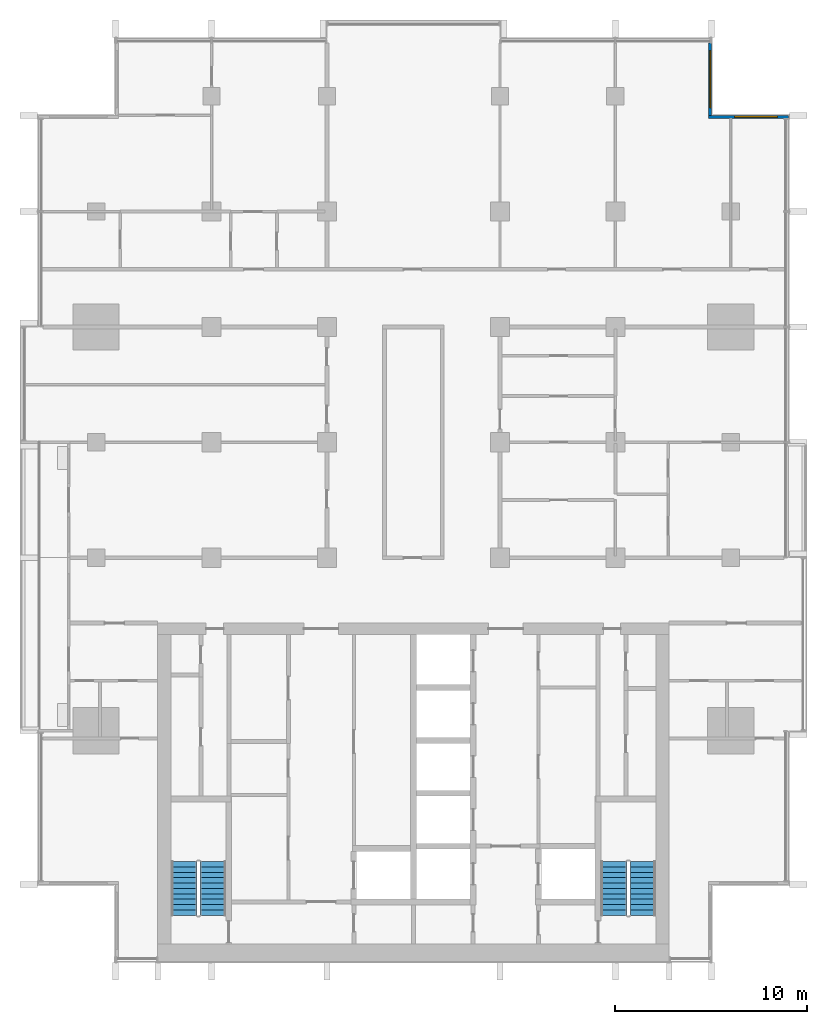
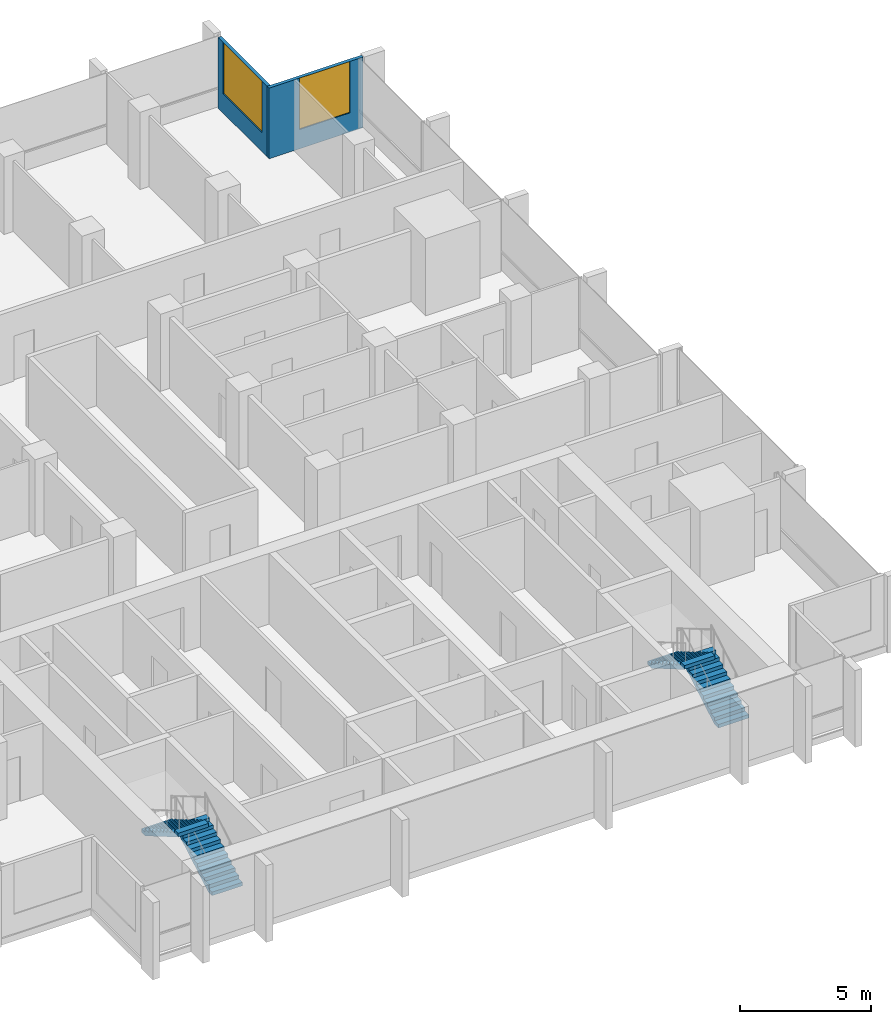
# One storey, part 11 of 16: 4 stair flights, 2 walls, 2 windows, 2 openings, 2 elements without a shape of their own.
"""IFC4 building model written with IfcOpenShell, lengths in metres."""

from ifc_helpers import new_model, si_unit, direction, frame, frame_2d, origin, place, context, subcontext, project, spatial, polyline, rectangle, outline, extrude, material, layer, layer_set, type_object, element, fill, aggregate, save


model = new_model("IFC4")

# Units and contexts
model_context = context("Model", 3, precision=1e-05, world=origin(), true_north=direction((0.0, 1.0)))
body_context = subcontext(model_context, "Body", "Model", "MODEL_VIEW")
ifc_project = project(units=[si_unit("LENGTHUNIT", "METRE"), si_unit("AREAUNIT", "SQUARE_METRE"), si_unit("VOLUMEUNIT", "CUBIC_METRE"), si_unit("PLANEANGLEUNIT", "RADIAN"), si_unit("MASSUNIT", "GRAM", prefix="KILO")], contexts=[model_context])

# Site, building, storey
site_placement = place(None, origin())
site = spatial("IfcSite", under=ifc_project, at=site_placement, CompositionType="ELEMENT")
building_placement = place(site_placement, origin())
building = spatial("IfcBuilding", under=site, at=building_placement, Name="Finial Court Residences", CompositionType="ELEMENT")
storey_placement = place(building_placement, frame((0.0, 0.0, 188.89990234375)))
storey = spatial("IfcBuildingStorey", under=building, at=storey_placement, Name="L47", CompositionType="ELEMENT", Elevation=188.89990234375)

# Wall, opening, window
ifc_material_1 = material(Name="Natural limestone", Category="masonry")
ifc_layer = layer(ifc_material_1, 0.14990234375)
ifc_layer_set = layer_set([ifc_layer], Name="Limestone clad wall 150")
wall_type = type_object("IfcWallType", Name="Limestone clad wall 150", PredefinedType="SOLIDWALL", material=ifc_layer_set)
wall_1_placement = place(storey_placement, frame((15.425048828125, 22.262451171875, 0.0), z_axis=(0.0, 0.0, 1.0), x_axis=(0.0, -1.0, 0.0)))
wall_1 = element("IfcWall", 1, at=wall_1_placement, inside=storey, type_object=wall_type, Name="E-L47-NWE18", PredefinedType="SOLIDWALL", context=body_context, shape_type="SweptSolid", body=[
    extrude(rectangle(XDim=3.762451171875, YDim=0.14990234375, at=frame_2d((1.88134765625, 0.0))), origin(), (0.0, 0.0, 1.0), 3.300048828125),
])
opening_1_placement = place(wall_1_placement, frame((0.401123046875, 0.0, 0.89990234375)))
opening_1 = element("IfcOpeningElement", 2, at=opening_1_placement, cuts=wall_1, Name="Opening WE47-07", PredefinedType="OPENING", context=body_context, shape_type="SweptSolid", body=[
    extrude(rectangle(XDim=2.9599609375, YDim=2.39990234375, at=frame_2d((1.47998046875, 1.199951171875))), frame((0.0, 0.0849609375, 0.0), z_axis=(0.0, -1.0, 0.0), x_axis=(1.0, 0.0, 0.0)), (0.0, 0.0, 1.0), 0.169921875),
])
ifc_material_2 = material(Name="Clear low-e glass", Category="glass")
window_type_1 = type_object("IfcWindowType", Name="Corner window 2960 x 2400", PartitioningType="SINGLE_PANEL", PredefinedType="WINDOW", material=ifc_material_2)
window_1_placement = place(opening_1_placement, origin())
window_1 = element("IfcWindow", 3, at=window_1_placement, inside=storey, type_object=window_type_1, Name="E-L47-NWE18-W1", OverallHeight=2.39990234375, OverallWidth=2.9599609375, PartitioningType="SINGLE_PANEL", PredefinedType="WINDOW", context=body_context, shape_type="SweptSolid", body=[
    extrude(rectangle(XDim=2.9599609375, YDim=2.39990234375, at=frame_2d((1.47998046875, 1.199951171875))), frame((0.0, 0.030029296875, 0.0), z_axis=(0.0, -1.0, 0.0), x_axis=(1.0, 0.0, 0.0)), (0.0, 0.0, 1.0), 0.06005859375),
])
fill(opening_1, window_1)

wall_2_placement = place(storey_placement, frame((15.35009765625, 18.425048828125, 0.0), z_axis=(0.0, 0.0, 1.0), x_axis=(1.0, 0.0, 0.0)))
wall_2 = element("IfcWall", 4, at=wall_2_placement, inside=storey, type_object=wall_type, Name="E-L47-NWN19", PredefinedType="SOLIDWALL", context=body_context, shape_type="SweptSolid", body=[
    extrude(rectangle(XDim=4.14990234375, YDim=0.14990234375, at=frame_2d((2.074951171875, 0.0))), origin(), (0.0, 0.0, 1.0), 3.300048828125),
])
opening_2_placement = place(wall_2_placement, frame((1.35009765625, 0.0, 0.89990234375)))
opening_2 = element("IfcOpeningElement", 5, at=opening_2_placement, cuts=wall_2, Name="Opening WE47-08", PredefinedType="OPENING", context=body_context, shape_type="SweptSolid", body=[
    extrude(rectangle(XDim=2.22509765625, YDim=2.39990234375, at=frame_2d((1.112548828125, 1.199951171875))), frame((0.0, 0.0849609375, 0.0), z_axis=(0.0, -1.0, 0.0), x_axis=(1.0, 0.0, 0.0)), (0.0, 0.0, 1.0), 0.169921875),
])
window_type_2 = type_object("IfcWindowType", Name="Corner window 2225 x 2400", PartitioningType="SINGLE_PANEL", PredefinedType="WINDOW", material=ifc_material_2)
window_2_placement = place(opening_2_placement, origin())
window_2 = element("IfcWindow", 6, at=window_2_placement, inside=storey, type_object=window_type_2, Name="E-L47-NWN19-W1", OverallHeight=2.39990234375, OverallWidth=2.22509765625, PartitioningType="SINGLE_PANEL", PredefinedType="WINDOW", context=body_context, shape_type="SweptSolid", body=[
    extrude(rectangle(XDim=2.22509765625, YDim=2.39990234375, at=frame_2d((1.112548828125, 1.199951171875))), frame((0.0, 0.030029296875, 0.0), z_axis=(0.0, -1.0, 0.0), x_axis=(1.0, 0.0, 0.0)), (0.0, 0.0, 1.0), 0.06005859375),
])
fill(opening_2, window_2)

# Stair, stair flights
ifc_material_3 = material(Name="Concrete C50/60", Category="concrete")
stair_type = type_object("IfcStairType", Name="Exit stair 22 risers of 163.6 mm", PredefinedType="HALF_TURN_STAIR", material=ifc_material_3)
stair_1_placement = place(storey_placement, origin())
stair_1 = element("IfcStair", 7, at=stair_1_placement, inside=storey, type_object=stair_type, Name="L47 Exit stair ST-1", PredefinedType="HALF_TURN_STAIR")
stair_flight_type = type_object("IfcStairFlightType", Name="Exit stair flight", PredefinedType="STRAIGHT", material=ifc_material_3)
stair_flight_1_placement = place(storey_placement, frame((-10.425048828125, -23.10009765625, 0.0), z_axis=(0.0, 0.0, 1.0), x_axis=(0.0, 1.0, 0.0)))
stair_flight_1 = element("IfcStairFlight", 8, at=stair_flight_1_placement, type_object=stair_flight_type, Name="ST-1 flight 1", NumberOfRisers=11, NumberOfTreads=10, PredefinedType="STRAIGHT", RiserHeight=0.163636364, TreadLength=0.28, context=body_context, shape_type="SweptSolid", body=[
    extrude(outline(polyline([(0.0, 0.0), (0.0, 0.16357421875), (0.280029296875, 0.16357421875), (0.280029296875, 0.327392578125), (0.56005859375, 0.327392578125), (0.56005859375, 0.490966796875), (0.840087890625, 0.490966796875), (0.840087890625, 0.654541015625), (1.1201171875, 0.654541015625), (1.1201171875, 0.818115234375), (1.39990234375, 0.818115234375), (1.39990234375, 0.98193359375), (1.679931640625, 0.98193359375), (1.679931640625, 1.1455078125), (1.9599609375, 1.1455078125), (1.9599609375, 1.30908203125), (2.239990234375, 1.30908203125), (2.239990234375, 1.47265625), (2.52001953125, 1.47265625), (2.52001953125, 1.636474609375), (2.800048828125, 1.636474609375), (2.800048828125, 1.800048828125), (2.800048828125, 1.462646484375), (0.297119140625, 0.0), (0.0, 0.0)])), frame((0.0, 0.675048828125, 0.0), z_axis=(0.0, -1.0, 0.0), x_axis=(1.0, 0.0, 0.0)), (0.0, 0.0, 1.0), 1.35009765625),
])
stair_flight_2_placement = place(storey_placement, frame((-11.925048828125, -20.300048828125, 1.800048828125), z_axis=(0.0, 0.0, 1.0), x_axis=(0.0, -1.0, 0.0)))
stair_flight_2 = element("IfcStairFlight", 9, at=stair_flight_2_placement, type_object=stair_flight_type, Name="ST-1 flight 2", NumberOfRisers=11, NumberOfTreads=10, PredefinedType="STRAIGHT", RiserHeight=0.163636364, TreadLength=0.28, context=body_context, shape_type="SweptSolid", body=[
    extrude(outline(polyline([(0.0, 0.0), (0.0, 0.16357421875), (0.280029296875, 0.16357421875), (0.280029296875, 0.327392578125), (0.56005859375, 0.327392578125), (0.56005859375, 0.490966796875), (0.840087890625, 0.490966796875), (0.840087890625, 0.654541015625), (1.1201171875, 0.654541015625), (1.1201171875, 0.818115234375), (1.39990234375, 0.818115234375), (1.39990234375, 0.98193359375), (1.679931640625, 0.98193359375), (1.679931640625, 1.1455078125), (1.9599609375, 1.1455078125), (1.9599609375, 1.30908203125), (2.239990234375, 1.30908203125), (2.239990234375, 1.47265625), (2.52001953125, 1.47265625), (2.52001953125, 1.636474609375), (2.800048828125, 1.636474609375), (2.800048828125, 1.800048828125), (2.800048828125, 1.462646484375), (0.297119140625, 0.0), (0.0, 0.0)])), frame((0.0, 0.675048828125, 0.0), z_axis=(0.0, -1.0, 0.0), x_axis=(1.0, 0.0, 0.0)), (0.0, 0.0, 1.0), 1.35009765625),
])
aggregate(stair_1, [stair_flight_1, stair_flight_2])

stair_2_placement = place(storey_placement, origin())
stair_2 = element("IfcStair", 10, at=stair_2_placement, inside=storey, type_object=stair_type, Name="L47 Exit stair ST-2", PredefinedType="HALF_TURN_STAIR")
stair_flight_3_placement = place(storey_placement, frame((11.925048828125, -23.10009765625, 0.0), z_axis=(0.0, 0.0, 1.0), x_axis=(0.0, 1.0, 0.0)))
stair_flight_3 = element("IfcStairFlight", 11, at=stair_flight_3_placement, type_object=stair_flight_type, Name="ST-2 flight 1", NumberOfRisers=11, NumberOfTreads=10, PredefinedType="STRAIGHT", RiserHeight=0.163636364, TreadLength=0.28, context=body_context, shape_type="SweptSolid", body=[
    extrude(outline(polyline([(0.0, 0.0), (0.0, 0.16357421875), (0.280029296875, 0.16357421875), (0.280029296875, 0.327392578125), (0.56005859375, 0.327392578125), (0.56005859375, 0.490966796875), (0.840087890625, 0.490966796875), (0.840087890625, 0.654541015625), (1.1201171875, 0.654541015625), (1.1201171875, 0.818115234375), (1.39990234375, 0.818115234375), (1.39990234375, 0.98193359375), (1.679931640625, 0.98193359375), (1.679931640625, 1.1455078125), (1.9599609375, 1.1455078125), (1.9599609375, 1.30908203125), (2.239990234375, 1.30908203125), (2.239990234375, 1.47265625), (2.52001953125, 1.47265625), (2.52001953125, 1.636474609375), (2.800048828125, 1.636474609375), (2.800048828125, 1.800048828125), (2.800048828125, 1.462646484375), (0.297119140625, 0.0), (0.0, 0.0)])), frame((0.0, 0.675048828125, 0.0), z_axis=(0.0, -1.0, 0.0), x_axis=(1.0, 0.0, 0.0)), (0.0, 0.0, 1.0), 1.35009765625),
])
stair_flight_4_placement = place(storey_placement, frame((10.425048828125, -20.300048828125, 1.800048828125), z_axis=(0.0, 0.0, 1.0), x_axis=(0.0, -1.0, 0.0)))
stair_flight_4 = element("IfcStairFlight", 12, at=stair_flight_4_placement, type_object=stair_flight_type, Name="ST-2 flight 2", NumberOfRisers=11, NumberOfTreads=10, PredefinedType="STRAIGHT", RiserHeight=0.163636364, TreadLength=0.28, context=body_context, shape_type="SweptSolid", body=[
    extrude(outline(polyline([(0.0, 0.0), (0.0, 0.16357421875), (0.280029296875, 0.16357421875), (0.280029296875, 0.327392578125), (0.56005859375, 0.327392578125), (0.56005859375, 0.490966796875), (0.840087890625, 0.490966796875), (0.840087890625, 0.654541015625), (1.1201171875, 0.654541015625), (1.1201171875, 0.818115234375), (1.39990234375, 0.818115234375), (1.39990234375, 0.98193359375), (1.679931640625, 0.98193359375), (1.679931640625, 1.1455078125), (1.9599609375, 1.1455078125), (1.9599609375, 1.30908203125), (2.239990234375, 1.30908203125), (2.239990234375, 1.47265625), (2.52001953125, 1.47265625), (2.52001953125, 1.636474609375), (2.800048828125, 1.636474609375), (2.800048828125, 1.800048828125), (2.800048828125, 1.462646484375), (0.297119140625, 0.0), (0.0, 0.0)])), frame((0.0, 0.675048828125, 0.0), z_axis=(0.0, -1.0, 0.0), x_axis=(1.0, 0.0, 0.0)), (0.0, 0.0, 1.0), 1.35009765625),
])
aggregate(stair_2, [stair_flight_3, stair_flight_4])

save(model, "model.ifc")
